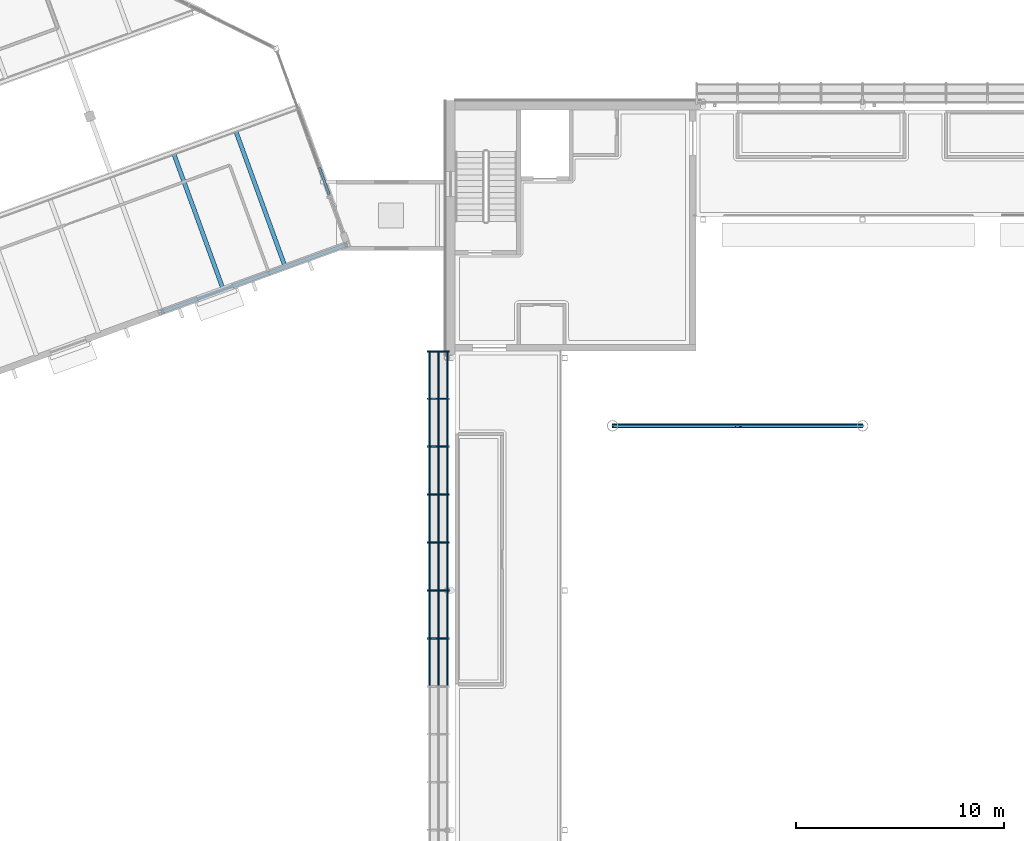
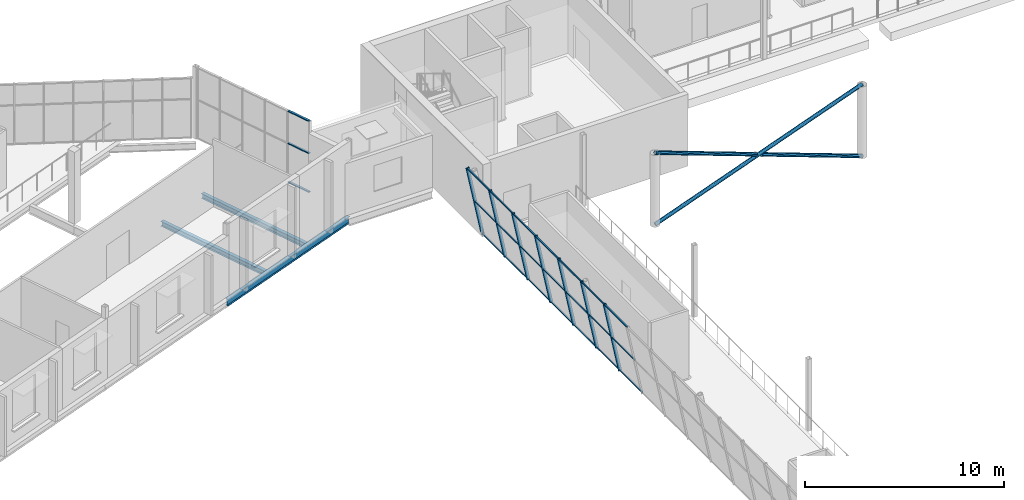
# One storey, part 31 of 115: 34 members, 3 beams, 2 elements without a shape of their own.
"""IFC4 building model written with IfcOpenShell, lengths in metres."""

from ifc_helpers import new_model, si_unit, direction, frame, origin, origin_2d, place, context, subcontext, project, spatial, rectangle, hollow_circle, i_section, extrude, material, layer, layer_set, material_profile, profile_set, type_object, element, aggregate, save


model = new_model("IFC4")

# Units and contexts
model_context = context("Model", 3, precision=1e-05, world=origin(), true_north=direction((0.0, 1.0)))
body_context = subcontext(model_context, "Body", "Model", "MODEL_VIEW")
ifc_project = project(units=[si_unit("LENGTHUNIT", "METRE"), si_unit("AREAUNIT", "SQUARE_METRE"), si_unit("VOLUMEUNIT", "CUBIC_METRE"), si_unit("PLANEANGLEUNIT", "RADIAN"), si_unit("MASSUNIT", "GRAM", prefix="KILO")], contexts=[model_context])

# Site, building, storey
site_placement = place(None, origin())
site = spatial("IfcSite", under=ifc_project, at=site_placement, CompositionType="ELEMENT")
building_placement = place(site_placement, origin())
building = spatial("IfcBuilding", under=site, at=building_placement, Name="Windward Yard Aquatics Centre", CompositionType="ELEMENT")
storey_placement = place(building_placement, frame((0.0, 0.0, 5.0)))
storey = spatial("IfcBuildingStorey", under=building, at=storey_placement, Name="L01", CompositionType="ELEMENT", Elevation=5.0)

# Beams
ifc_material_1 = material(Name="Steel S355", Category="steel")
ifc_material_profile_1 = material_profile(ifc_material_1, i_section(OverallWidth=0.202880859375, OverallDepth=0.302001953125, WebThickness=0.007568359375, FlangeThickness=0.01318359375, at=origin_2d()), Name="W310x60")
ifc_profile_set_1 = profile_set([ifc_material_profile_1], Name="Steel S355")
beam_type_1 = type_object("IfcBeamType", Name="F W310x60 joist", PredefinedType="JOIST", material=ifc_profile_set_1)
for number, where, z_axis, x_axis, name in (
    (1, (41.2919921875, 87.0205078125, -0.430908203125), (-0.342039150881, 0.939685702384, 0.0), (-0.939685702384, -0.342039150881, 0.0), "F.BM.L01.S13"),
    (2, (44.267578125, 88.103515625, -0.430908203125), (-0.341996027997, 0.939701397697, 0.0), (-0.939701397697, -0.341996027997, 0.0), "F.BM.L01.S15"),
):
    element("IfcBeam", number, at=place(storey_placement, frame(where, z_axis=z_axis, x_axis=x_axis)), inside=storey, type_object=beam_type_1, Name=name, PredefinedType="JOIST", context=body_context, shape_type="SweptSolid", body=[
        extrude(i_section(OverallWidth=0.202880859375, OverallDepth=0.302001953125, WebThickness=0.007568359375, FlangeThickness=0.01318359375, at=origin_2d()), origin(), (0.0, 0.0, 1.0), 6.81884765625),
    ])
ifc_material_profile_2 = material_profile(ifc_material_1, i_section(OverallWidth=0.180908203125, OverallDepth=0.4169921875, WebThickness=0.010986328125, FlangeThickness=0.018310546875, at=origin_2d()), Name="W410x85")
ifc_profile_set_2 = profile_set([ifc_material_profile_2], Name="Steel S355")
beam_type_2 = type_object("IfcBeamType", Name="F W410x85 beam", PredefinedType="BEAM", material=ifc_profile_set_2)
beam_placement = place(storey_placement, frame((38.347412109375, 85.852294921875, -0.488525390625), z_axis=(0.939689082478, 0.342029864589, 0.0), x_axis=(-0.342029864589, 0.939689082478, 0.0)))
element("IfcBeam", 3, at=beam_placement, inside=storey, type_object=beam_type_2, Name="F.BM.L01.R04", PredefinedType="BEAM", context=body_context, shape_type="SweptSolid", body=[
    extrude(i_section(OverallWidth=0.180908203125, OverallDepth=0.4169921875, WebThickness=0.010986328125, FlangeThickness=0.018310546875, at=origin_2d()), origin(), (0.0, 0.0, 1.0), 9.5),
])

# Curtain wall, members
ifc_material_2 = material(Name="Aluminium, anodised", Category="aluminium")
ifc_layer_1 = layer(ifc_material_2, 0.14990234375)
ifc_layer_set_1 = layer_set([ifc_layer_1], Name="F curtain wall 150 aluminium")
curtain_wall_type_1 = type_object("IfcCurtainWallType", Name="F curtain wall 150 aluminium", PredefinedType="NOTDEFINED", material=ifc_layer_set_1)
curtain_wall_1_placement = place(storey_placement, origin())
curtain_wall_1 = element("IfcCurtainWall", 4, at=curtain_wall_1_placement, inside=storey, type_object=curtain_wall_type_1, Name="Foyer glazing L01 1", PredefinedType="NOTDEFINED")
ifc_material_profile_3 = material_profile(ifc_material_2, rectangle(XDim=0.1201171875, YDim=0.06005859375, at=origin_2d()), Name="TRANSOM 60x120")
ifc_profile_set_3 = profile_set([ifc_material_profile_3], Name="Aluminium, anodised")
member_type_1 = type_object("IfcMemberType", Name="F transom 60x120 aluminium", PredefinedType="USERDEFINED", material=ifc_profile_set_3)
member_1_placement = place(storey_placement, frame((46.40283203125, 91.49609375, 0.030029296875), z_axis=(-0.341983296243, 0.939706031209, 0.0), x_axis=(-0.939706031209, -0.341983296243, 0.0)))
member_1 = element("IfcMember", 5, at=member_1_placement, type_object=member_type_1, Name="FCW1 transom 1.1", ObjectType="TRANSOM", PredefinedType="USERDEFINED", context=body_context, shape_type="SweptSolid", body=[
    extrude(rectangle(XDim=0.1201171875, YDim=0.06005859375, at=origin_2d()), origin(), (0.0, 0.0, 1.0), 1.38720703125),
])
member_2_placement = place(storey_placement, frame((46.40283203125, 91.49609375, 2.39990234375), z_axis=(-0.341983296243, 0.939706031209, 0.0), x_axis=(-0.939706031209, -0.341983296243, 0.0)))
member_2 = element("IfcMember", 6, at=member_2_placement, type_object=member_type_1, Name="FCW1 transom 1.2", ObjectType="TRANSOM", PredefinedType="USERDEFINED", context=body_context, shape_type="SweptSolid", body=[
    extrude(rectangle(XDim=0.1201171875, YDim=0.06005859375, at=origin_2d()), origin(), (0.0, 0.0, 1.0), 1.38720703125),
])
member_3_placement = place(storey_placement, frame((46.40283203125, 91.49609375, 4.3701171875), z_axis=(-0.341983296243, 0.939706031209, 0.0), x_axis=(-0.939706031209, -0.341983296243, 0.0)))
member_3 = element("IfcMember", 7, at=member_3_placement, type_object=member_type_1, Name="FCW1 transom 1.3", ObjectType="TRANSOM", PredefinedType="USERDEFINED", context=body_context, shape_type="SweptSolid", body=[
    extrude(rectangle(XDim=0.1201171875, YDim=0.06005859375, at=origin_2d()), origin(), (0.0, 0.0, 1.0), 1.38720703125),
])
aggregate(curtain_wall_1, [member_1, member_2, member_3])

ifc_material_3 = material(Name="Glass and aluminium curtain wall", Category="aluminium")
ifc_layer_2 = layer(ifc_material_3, 0.179931640625)
ifc_layer_set_2 = layer_set([ifc_layer_2], Name="H curtain wall tier 1 double glazed 8+16+8")
curtain_wall_type_2 = type_object("IfcCurtainWallType", Name="H curtain wall tier 1 double glazed 8+16+8", PredefinedType="NOTDEFINED", material=ifc_layer_set_2)
curtain_wall_2_placement = place(storey_placement, origin())
curtain_wall_2 = element("IfcCurtainWall", 8, at=curtain_wall_2_placement, inside=storey, type_object=curtain_wall_type_2, Name="Tier 1 glazing W L01", PredefinedType="NOTDEFINED")
ifc_material_4 = material(Name="Aluminium 6063-T6 anodised", Category="aluminium")
ifc_material_profile_4 = material_profile(ifc_material_4, rectangle(XDim=0.06494140625, YDim=0.179931640625, at=origin_2d()), Name="H CW mullion 65x180")
ifc_profile_set_4 = profile_set([ifc_material_profile_4], Name="Aluminium 6063-T6 anodised")
member_type_2 = type_object("IfcMemberType", Name="H CW mullion 65x180", PredefinedType="MULLION", material=ifc_profile_set_4)
member_4_placement = place(storey_placement, frame((52.088134765625, 70.199951171875, 0.017822265625), z_axis=(-0.199380237329, 0.0, 0.979922201485), x_axis=(0.0, -1.0, 0.0)))
member_4 = element("IfcMember", 9, at=member_4_placement, type_object=member_type_2, Name="G1WA mullion 15", PredefinedType="MULLION", context=body_context, shape_type="SweptSolid", body=[
    extrude(rectangle(XDim=0.06494140625, YDim=0.179931640625, at=origin_2d()), origin(), (0.0, 0.0, 1.0), 4.471923828125),
])
member_5_placement = place(storey_placement, frame((52.088134765625, 72.5, 0.017822265625), z_axis=(-0.199380237329, 0.0, 0.979922201485), x_axis=(0.0, -1.0, 0.0)))
member_5 = element("IfcMember", 10, at=member_5_placement, type_object=member_type_2, Name="G1WA mullion 16", PredefinedType="MULLION", context=body_context, shape_type="SweptSolid", body=[
    extrude(rectangle(XDim=0.06494140625, YDim=0.179931640625, at=origin_2d()), origin(), (0.0, 0.0, 1.0), 4.471923828125),
])
member_6_placement = place(storey_placement, frame((52.088134765625, 74.800048828125, 0.017822265625), z_axis=(-0.199380237329, 0.0, 0.979922201485), x_axis=(0.0, -1.0, 0.0)))
member_6 = element("IfcMember", 11, at=member_6_placement, type_object=member_type_2, Name="G1WA mullion 17", PredefinedType="MULLION", context=body_context, shape_type="SweptSolid", body=[
    extrude(rectangle(XDim=0.06494140625, YDim=0.179931640625, at=origin_2d()), origin(), (0.0, 0.0, 1.0), 4.471923828125),
])
member_7_placement = place(storey_placement, frame((52.088134765625, 77.10009765625, 0.017822265625), z_axis=(-0.199380237329, 0.0, 0.979922201485), x_axis=(0.0, -1.0, 0.0)))
member_7 = element("IfcMember", 12, at=member_7_placement, type_object=member_type_2, Name="G1WA mullion 18", PredefinedType="MULLION", context=body_context, shape_type="SweptSolid", body=[
    extrude(rectangle(XDim=0.06494140625, YDim=0.179931640625, at=origin_2d()), origin(), (0.0, 0.0, 1.0), 4.471923828125),
])
member_8_placement = place(storey_placement, frame((52.088134765625, 79.39990234375, 0.017822265625), z_axis=(-0.199380237329, 0.0, 0.979922201485), x_axis=(0.0, -1.0, 0.0)))
member_8 = element("IfcMember", 13, at=member_8_placement, type_object=member_type_2, Name="G1WA mullion 19", PredefinedType="MULLION", context=body_context, shape_type="SweptSolid", body=[
    extrude(rectangle(XDim=0.06494140625, YDim=0.179931640625, at=origin_2d()), origin(), (0.0, 0.0, 1.0), 4.471923828125),
])
member_9_placement = place(storey_placement, frame((52.088134765625, 81.699951171875, 0.017822265625), z_axis=(-0.199380237329, 0.0, 0.979922201485), x_axis=(0.0, -1.0, 0.0)))
member_9 = element("IfcMember", 14, at=member_9_placement, type_object=member_type_2, Name="G1WA mullion 20", PredefinedType="MULLION", context=body_context, shape_type="SweptSolid", body=[
    extrude(rectangle(XDim=0.06494140625, YDim=0.179931640625, at=origin_2d()), origin(), (0.0, 0.0, 1.0), 4.471923828125),
])
member_10_placement = place(storey_placement, frame((52.088134765625, 83.967529296875, 0.017822265625), z_axis=(-0.199380237329, 0.0, 0.979922201485), x_axis=(0.0, -1.0, 0.0)))
member_10 = element("IfcMember", 15, at=member_10_placement, type_object=member_type_2, Name="G1WA mullion 21", PredefinedType="MULLION", context=body_context, shape_type="SweptSolid", body=[
    extrude(rectangle(XDim=0.06494140625, YDim=0.179931640625, at=origin_2d()), origin(), (0.0, 0.0, 1.0), 4.471923828125),
])
ifc_material_profile_5 = material_profile(ifc_material_4, rectangle(XDim=0.06494140625, YDim=0.10009765625, at=origin_2d()), Name="H CW transom 65x100")
ifc_profile_set_5 = profile_set([ifc_material_profile_5], Name="Aluminium 6063-T6 anodised")
member_type_3 = type_object("IfcMemberType", Name="H CW transom 65x100", PredefinedType="USERDEFINED", material=ifc_profile_set_5)
member_11_placement = place(storey_placement, frame((52.08056640625, 67.9326171875, 0.055419921875), z_axis=(0.0, 1.0, 0.0), x_axis=(0.979924704642, 0.0, 0.199367934315)))
member_11 = element("IfcMember", 16, at=member_11_placement, type_object=member_type_3, Name="G1WA transom 14.1", ObjectType="TRANSOM", PredefinedType="USERDEFINED", context=body_context, shape_type="SweptSolid", body=[
    extrude(rectangle(XDim=0.06494140625, YDim=0.10009765625, at=origin_2d()), origin(), (0.0, 0.0, 1.0), 2.23486328125),
])
member_12_placement = place(storey_placement, frame((51.644287109375, 67.9326171875, 2.199951171875), z_axis=(0.0, 1.0, 0.0), x_axis=(0.979924704642, 0.0, 0.199367934315)))
member_12 = element("IfcMember", 17, at=member_12_placement, type_object=member_type_3, Name="G1WA transom 14.2", ObjectType="TRANSOM", PredefinedType="USERDEFINED", context=body_context, shape_type="SweptSolid", body=[
    extrude(rectangle(XDim=0.06494140625, YDim=0.10009765625, at=origin_2d()), origin(), (0.0, 0.0, 1.0), 2.23486328125),
])
member_13_placement = place(storey_placement, frame((51.20654296875, 67.9326171875, 4.35107421875), z_axis=(0.0, 1.0, 0.0), x_axis=(0.979924704642, 0.0, 0.199367934315)))
member_13 = element("IfcMember", 18, at=member_13_placement, type_object=member_type_3, Name="G1WA transom 14.3", ObjectType="TRANSOM", PredefinedType="USERDEFINED", context=body_context, shape_type="SweptSolid", body=[
    extrude(rectangle(XDim=0.06494140625, YDim=0.10009765625, at=origin_2d()), origin(), (0.0, 0.0, 1.0), 2.23486328125),
])
member_14_placement = place(storey_placement, frame((52.08056640625, 70.232421875, 0.055419921875), z_axis=(0.0, 1.0, 0.0), x_axis=(0.979924704642, 0.0, 0.199367934315)))
member_14 = element("IfcMember", 19, at=member_14_placement, type_object=member_type_3, Name="G1WA transom 15.1", ObjectType="TRANSOM", PredefinedType="USERDEFINED", context=body_context, shape_type="SweptSolid", body=[
    extrude(rectangle(XDim=0.06494140625, YDim=0.10009765625, at=origin_2d()), origin(), (0.0, 0.0, 1.0), 2.235107421875),
])
member_15_placement = place(storey_placement, frame((51.644287109375, 70.232421875, 2.199951171875), z_axis=(0.0, 1.0, 0.0), x_axis=(0.979924704642, 0.0, 0.199367934315)))
member_15 = element("IfcMember", 20, at=member_15_placement, type_object=member_type_3, Name="G1WA transom 15.2", ObjectType="TRANSOM", PredefinedType="USERDEFINED", context=body_context, shape_type="SweptSolid", body=[
    extrude(rectangle(XDim=0.06494140625, YDim=0.10009765625, at=origin_2d()), origin(), (0.0, 0.0, 1.0), 2.235107421875),
])
member_16_placement = place(storey_placement, frame((51.20654296875, 70.232421875, 4.35107421875), z_axis=(0.0, 1.0, 0.0), x_axis=(0.979924704642, 0.0, 0.199367934315)))
member_16 = element("IfcMember", 21, at=member_16_placement, type_object=member_type_3, Name="G1WA transom 15.3", ObjectType="TRANSOM", PredefinedType="USERDEFINED", context=body_context, shape_type="SweptSolid", body=[
    extrude(rectangle(XDim=0.06494140625, YDim=0.10009765625, at=origin_2d()), origin(), (0.0, 0.0, 1.0), 2.235107421875),
])
member_17_placement = place(storey_placement, frame((52.08056640625, 72.532470703125, 0.055419921875), z_axis=(0.0, 1.0, 0.0), x_axis=(0.979924704642, 0.0, 0.199367934315)))
member_17 = element("IfcMember", 22, at=member_17_placement, type_object=member_type_3, Name="G1WA transom 16.1", ObjectType="TRANSOM", PredefinedType="USERDEFINED", context=body_context, shape_type="SweptSolid", body=[
    extrude(rectangle(XDim=0.06494140625, YDim=0.10009765625, at=origin_2d()), origin(), (0.0, 0.0, 1.0), 2.235107421875),
])
member_18_placement = place(storey_placement, frame((51.644287109375, 72.532470703125, 2.199951171875), z_axis=(0.0, 1.0, 0.0), x_axis=(0.979924704642, 0.0, 0.199367934315)))
member_18 = element("IfcMember", 23, at=member_18_placement, type_object=member_type_3, Name="G1WA transom 16.2", ObjectType="TRANSOM", PredefinedType="USERDEFINED", context=body_context, shape_type="SweptSolid", body=[
    extrude(rectangle(XDim=0.06494140625, YDim=0.10009765625, at=origin_2d()), origin(), (0.0, 0.0, 1.0), 2.235107421875),
])
member_19_placement = place(storey_placement, frame((51.20654296875, 72.532470703125, 4.35107421875), z_axis=(0.0, 1.0, 0.0), x_axis=(0.979924704642, 0.0, 0.199367934315)))
member_19 = element("IfcMember", 24, at=member_19_placement, type_object=member_type_3, Name="G1WA transom 16.3", ObjectType="TRANSOM", PredefinedType="USERDEFINED", context=body_context, shape_type="SweptSolid", body=[
    extrude(rectangle(XDim=0.06494140625, YDim=0.10009765625, at=origin_2d()), origin(), (0.0, 0.0, 1.0), 2.235107421875),
])
member_20_placement = place(storey_placement, frame((52.08056640625, 74.83251953125, 0.055419921875), z_axis=(0.0, 1.0, 0.0), x_axis=(0.979924704642, 0.0, 0.199367934315)))
member_20 = element("IfcMember", 25, at=member_20_placement, type_object=member_type_3, Name="G1WA transom 17.1", ObjectType="TRANSOM", PredefinedType="USERDEFINED", context=body_context, shape_type="SweptSolid", body=[
    extrude(rectangle(XDim=0.06494140625, YDim=0.10009765625, at=origin_2d()), origin(), (0.0, 0.0, 1.0), 2.23486328125),
])
member_21_placement = place(storey_placement, frame((51.644287109375, 74.83251953125, 2.199951171875), z_axis=(0.0, 1.0, 0.0), x_axis=(0.979924704642, 0.0, 0.199367934315)))
member_21 = element("IfcMember", 26, at=member_21_placement, type_object=member_type_3, Name="G1WA transom 17.2", ObjectType="TRANSOM", PredefinedType="USERDEFINED", context=body_context, shape_type="SweptSolid", body=[
    extrude(rectangle(XDim=0.06494140625, YDim=0.10009765625, at=origin_2d()), origin(), (0.0, 0.0, 1.0), 2.23486328125),
])
member_22_placement = place(storey_placement, frame((51.20654296875, 74.83251953125, 4.35107421875), z_axis=(0.0, 1.0, 0.0), x_axis=(0.979924704642, 0.0, 0.199367934315)))
member_22 = element("IfcMember", 27, at=member_22_placement, type_object=member_type_3, Name="G1WA transom 17.3", ObjectType="TRANSOM", PredefinedType="USERDEFINED", context=body_context, shape_type="SweptSolid", body=[
    extrude(rectangle(XDim=0.06494140625, YDim=0.10009765625, at=origin_2d()), origin(), (0.0, 0.0, 1.0), 2.23486328125),
])
member_23_placement = place(storey_placement, frame((52.08056640625, 77.132568359375, 0.055419921875), z_axis=(0.0, 1.0, 0.0), x_axis=(0.979924704642, 0.0, 0.199367934315)))
member_23 = element("IfcMember", 28, at=member_23_placement, type_object=member_type_3, Name="G1WA transom 18.1", ObjectType="TRANSOM", PredefinedType="USERDEFINED", context=body_context, shape_type="SweptSolid", body=[
    extrude(rectangle(XDim=0.06494140625, YDim=0.10009765625, at=origin_2d()), origin(), (0.0, 0.0, 1.0), 2.23486328125),
])
member_24_placement = place(storey_placement, frame((51.644287109375, 77.132568359375, 2.199951171875), z_axis=(0.0, 1.0, 0.0), x_axis=(0.979924704642, 0.0, 0.199367934315)))
member_24 = element("IfcMember", 29, at=member_24_placement, type_object=member_type_3, Name="G1WA transom 18.2", ObjectType="TRANSOM", PredefinedType="USERDEFINED", context=body_context, shape_type="SweptSolid", body=[
    extrude(rectangle(XDim=0.06494140625, YDim=0.10009765625, at=origin_2d()), origin(), (0.0, 0.0, 1.0), 2.23486328125),
])
member_25_placement = place(storey_placement, frame((51.20654296875, 77.132568359375, 4.35107421875), z_axis=(0.0, 1.0, 0.0), x_axis=(0.979924704642, 0.0, 0.199367934315)))
member_25 = element("IfcMember", 30, at=member_25_placement, type_object=member_type_3, Name="G1WA transom 18.3", ObjectType="TRANSOM", PredefinedType="USERDEFINED", context=body_context, shape_type="SweptSolid", body=[
    extrude(rectangle(XDim=0.06494140625, YDim=0.10009765625, at=origin_2d()), origin(), (0.0, 0.0, 1.0), 2.23486328125),
])
member_26_placement = place(storey_placement, frame((52.08056640625, 79.4326171875, 0.055419921875), z_axis=(0.0, 1.0, 0.0), x_axis=(0.979924704642, 0.0, 0.199367934315)))
member_26 = element("IfcMember", 31, at=member_26_placement, type_object=member_type_3, Name="G1WA transom 19.1", ObjectType="TRANSOM", PredefinedType="USERDEFINED", context=body_context, shape_type="SweptSolid", body=[
    extrude(rectangle(XDim=0.06494140625, YDim=0.10009765625, at=origin_2d()), origin(), (0.0, 0.0, 1.0), 2.23486328125),
])
member_27_placement = place(storey_placement, frame((51.644287109375, 79.4326171875, 2.199951171875), z_axis=(0.0, 1.0, 0.0), x_axis=(0.979924704642, 0.0, 0.199367934315)))
member_27 = element("IfcMember", 32, at=member_27_placement, type_object=member_type_3, Name="G1WA transom 19.2", ObjectType="TRANSOM", PredefinedType="USERDEFINED", context=body_context, shape_type="SweptSolid", body=[
    extrude(rectangle(XDim=0.06494140625, YDim=0.10009765625, at=origin_2d()), origin(), (0.0, 0.0, 1.0), 2.23486328125),
])
member_28_placement = place(storey_placement, frame((51.20654296875, 79.4326171875, 4.35107421875), z_axis=(0.0, 1.0, 0.0), x_axis=(0.979924704642, 0.0, 0.199367934315)))
member_28 = element("IfcMember", 33, at=member_28_placement, type_object=member_type_3, Name="G1WA transom 19.3", ObjectType="TRANSOM", PredefinedType="USERDEFINED", context=body_context, shape_type="SweptSolid", body=[
    extrude(rectangle(XDim=0.06494140625, YDim=0.10009765625, at=origin_2d()), origin(), (0.0, 0.0, 1.0), 2.23486328125),
])
member_29_placement = place(storey_placement, frame((52.08056640625, 81.732421875, 0.055419921875), z_axis=(0.0, 1.0, 0.0), x_axis=(0.979924704642, 0.0, 0.199367934315)))
member_29 = element("IfcMember", 34, at=member_29_placement, type_object=member_type_3, Name="G1WA transom 20.1", ObjectType="TRANSOM", PredefinedType="USERDEFINED", context=body_context, shape_type="SweptSolid", body=[
    extrude(rectangle(XDim=0.06494140625, YDim=0.10009765625, at=origin_2d()), origin(), (0.0, 0.0, 1.0), 2.20263671875),
])
member_30_placement = place(storey_placement, frame((51.644287109375, 81.732421875, 2.199951171875), z_axis=(0.0, 1.0, 0.0), x_axis=(0.979924704642, 0.0, 0.199367934315)))
member_30 = element("IfcMember", 35, at=member_30_placement, type_object=member_type_3, Name="G1WA transom 20.2", ObjectType="TRANSOM", PredefinedType="USERDEFINED", context=body_context, shape_type="SweptSolid", body=[
    extrude(rectangle(XDim=0.06494140625, YDim=0.10009765625, at=origin_2d()), origin(), (0.0, 0.0, 1.0), 2.20263671875),
])
member_31_placement = place(storey_placement, frame((51.20654296875, 81.732421875, 4.35107421875), z_axis=(0.0, 1.0, 0.0), x_axis=(0.979924704642, 0.0, 0.199367934315)))
member_31 = element("IfcMember", 36, at=member_31_placement, type_object=member_type_3, Name="G1WA transom 20.3", ObjectType="TRANSOM", PredefinedType="USERDEFINED", context=body_context, shape_type="SweptSolid", body=[
    extrude(rectangle(XDim=0.06494140625, YDim=0.10009765625, at=origin_2d()), origin(), (0.0, 0.0, 1.0), 2.20263671875),
])
aggregate(curtain_wall_2, [member_4, member_5, member_6, member_7, member_8, member_9, member_10, member_11, member_12, member_13, member_14, member_15, member_16, member_17, member_18, member_19, member_20, member_21, member_22, member_23, member_24, member_25, member_26, member_27, member_28, member_29, member_30, member_31])

# Members
ifc_material_5 = material(Name="Steel ASTM A500 Gr C", Category="steel")
ifc_material_profile_6 = material_profile(ifc_material_5, hollow_circle(Radius=0.109619140625, WallThickness=0.0126953125, at=origin_2d()), Name="HSS219.1X12.7")
ifc_profile_set_6 = profile_set([ifc_material_profile_6], Name="Steel ASTM A500 Gr C")
member_type_4 = type_object("IfcMemberType", Name="H column brace HSS219.1X12.7", PredefinedType="BRACE", material=ifc_profile_set_6)
member_32_placement = place(storey_placement, frame((60.0, 80.39990234375, 0.0), z_axis=(0.938878785405, 0.0, 0.344247914033), x_axis=(0.0, 1.0, 0.0)))
element("IfcMember", 37, at=member_32_placement, inside=storey, type_object=member_type_4, Name="H.VB.N1.L01.A", PredefinedType="BRACE", context=body_context, shape_type="SweptSolid", body=[
    extrude(hollow_circle(Radius=0.109619140625, WallThickness=0.0126953125, at=origin_2d()), origin(), (0.0, 0.0, 1.0), 12.78125),
])
for number, where, z_axis, x_axis, name in (
    (38, (60.0, 80.39990234375, 4.39990234375), (0.938880951774, 0.0, -0.344242005567), (0.0, 1.0, 0.0), "H.VB.N1.L01.B1"),
    (39, (66.140380859375, 80.39990234375, 2.1484375), (0.938880951774, 0.0, -0.344242005567), (0.0, 1.0, 0.0), "H.VB.N1.L01.B2"),
):
    element("IfcMember", number, at=place(storey_placement, frame(where, z_axis=z_axis, x_axis=x_axis)), inside=storey, type_object=member_type_4, Name=name, PredefinedType="BRACE", context=body_context, shape_type="SweptSolid", body=[
        extrude(hollow_circle(Radius=0.109619140625, WallThickness=0.0126953125, at=origin_2d()), origin(), (0.0, 0.0, 1.0), 6.240966796875),
    ])

save(model, "model.ifc")
